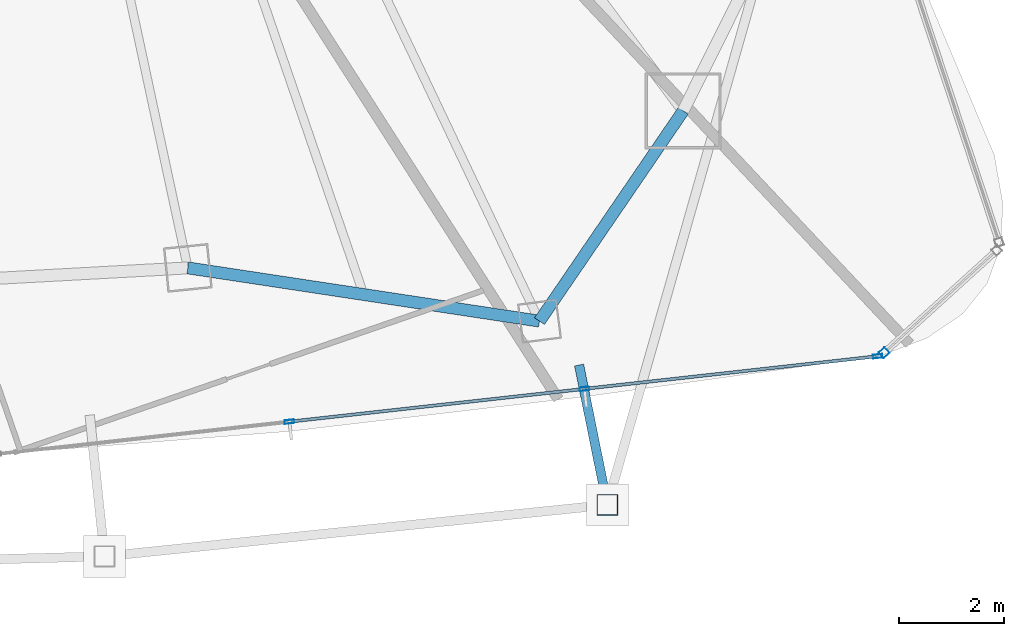
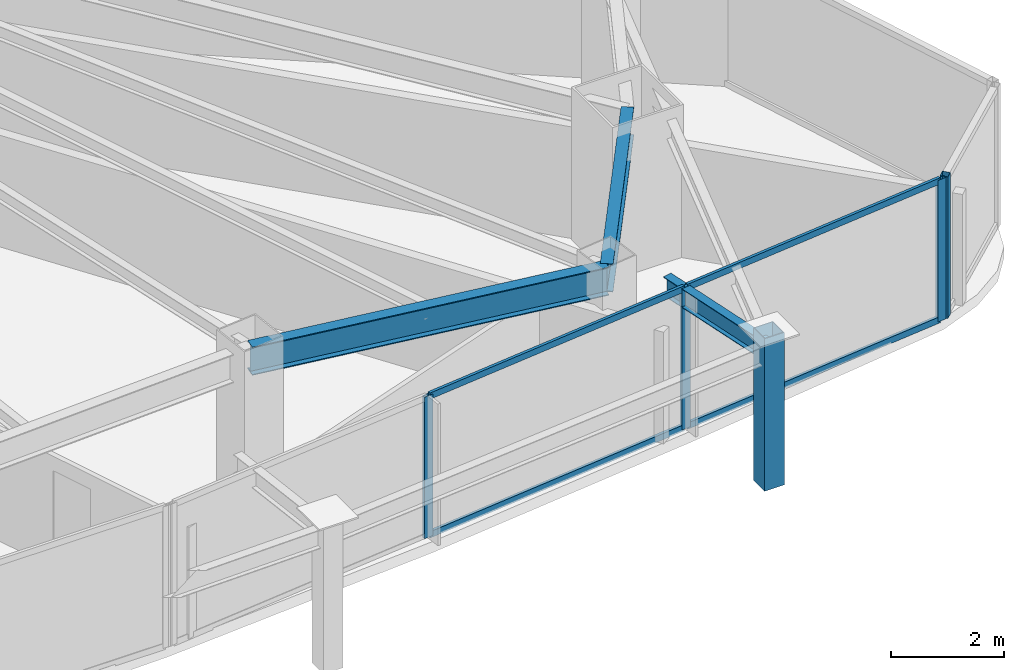
# One storey, part 12 of 29: 9 members, 3 beams, 2 elements without a shape of their own.
"""IFC4 building model written with IfcOpenShell, lengths in metres."""

from ifc_helpers import new_model, si_unit, direction, frame, origin, origin_2d, place, context, subcontext, project, spatial, hollow_rectangle, i_section, extrude, material, layer, layer_set, material_profile, profile_set, type_object, element, aggregate, save


model = new_model("IFC4")

# Units and contexts
model_context = context("Model", 3, precision=1e-05, world=origin(), true_north=direction((0.0, 1.0)))
body_context = subcontext(model_context, "Body", "Model", "MODEL_VIEW")
ifc_project = project(units=[si_unit("LENGTHUNIT", "METRE"), si_unit("AREAUNIT", "SQUARE_METRE"), si_unit("VOLUMEUNIT", "CUBIC_METRE"), si_unit("PLANEANGLEUNIT", "RADIAN"), si_unit("MASSUNIT", "GRAM", prefix="KILO")], contexts=[model_context])

# Site, building, storey
site_placement = place(None, origin())
site = spatial("IfcSite", under=ifc_project, at=site_placement, CompositionType="ELEMENT")
building_placement = place(site_placement, origin())
building = spatial("IfcBuilding", under=site, at=building_placement, Name="Orvanel Arch Residences", CompositionType="ELEMENT")
storey_placement = place(building_placement, frame((0.0, 0.0, 167.14990234375)))
storey = spatial("IfcBuildingStorey", under=building, at=storey_placement, Name="L47", CompositionType="ELEMENT", Elevation=167.14990234375)

# Curtain wall, member
ifc_material_1 = material(Name="Bronze-anodised aluminium AA6063-T6", Category="aluminium")
ifc_layer_1 = layer(ifc_material_1, 0.18994140625)
ifc_layer_set_1 = layer_set([ifc_layer_1], Name="Bronze-anodised aluminium AA6063-T6")
curtain_wall_type_1 = type_object("IfcCurtainWallType", Name="CW5-CRN-SYS", PredefinedType="NOTDEFINED", material=ifc_layer_set_1)
curtain_wall_1_placement = place(storey_placement, origin())
curtain_wall_1 = element("IfcCurtainWall", 1, at=curtain_wall_1_placement, inside=storey, type_object=curtain_wall_type_1, Name="L47 CW5-CRN-SYS Unitised Curtain Wall", PredefinedType="NOTDEFINED")
ifc_material_profile_1 = material_profile(ifc_material_1, hollow_rectangle(XDim=0.14990234375, YDim=0.14990234375, WallThickness=0.0048828125, at=origin_2d()), Name="ALU150x150x5")
ifc_profile_set_1 = profile_set([ifc_material_profile_1], Name="Bronze-anodised aluminium AA6063-T6")
member_type_1 = type_object("IfcMemberType", Name="MUL-150x150", PredefinedType="MULLION", material=ifc_profile_set_1)
member_1_placement = place(storey_placement, frame((55.635498046875, 5.739501953125, 0.0), z_axis=(0.0, 0.0, 1.0), x_axis=(-0.672395615727, 0.740191958853, 0.0)))
member_1 = element("IfcMember", 2, at=member_1_placement, type_object=member_type_1, Name="CW-S5 mullion 1", PredefinedType="MULLION", context=body_context, shape_type="SweptSolid", body=[
    extrude(hollow_rectangle(XDim=0.14990234375, YDim=0.14990234375, WallThickness=0.0048828125, at=origin_2d()), origin(), (0.0, 0.0, 1.0), 3.06005859375),
])
aggregate(curtain_wall_1, [member_1])

# Curtain wall, members
ifc_layer_2 = layer(ifc_material_1, 0.179931640625)
ifc_layer_set_2 = layer_set([ifc_layer_2], Name="Bronze-anodised aluminium AA6063-T6")
curtain_wall_type_2 = type_object("IfcCurtainWallType", Name="CW3-MID-SYS", PredefinedType="NOTDEFINED", material=ifc_layer_set_2)
curtain_wall_2_placement = place(storey_placement, origin())
curtain_wall_2 = element("IfcCurtainWall", 3, at=curtain_wall_2_placement, inside=storey, type_object=curtain_wall_type_2, Name="L47 CW3-MID-SYS Unitised Curtain Wall", PredefinedType="NOTDEFINED")
ifc_material_profile_2 = material_profile(ifc_material_1, hollow_rectangle(XDim=0.070068359375, YDim=0.179931640625, WallThickness=0.00439453125, at=origin_2d()), Name="ALU180x70x4.5")
ifc_profile_set_2 = profile_set([ifc_material_profile_2], Name="Bronze-anodised aluminium AA6063-T6")
member_type_2 = type_object("IfcMemberType", Name="MUL-180x70", PredefinedType="MULLION", material=ifc_profile_set_2)
member_2_placement = place(storey_placement, frame((44.2890625, 4.42138671875, 0.0), z_axis=(0.0, 0.0, 1.0), x_axis=(-0.11060596361, 0.993864337228, 0.0)))
member_2 = element("IfcMember", 4, at=member_2_placement, type_object=member_type_2, Name="CW-S3 mullion 2", PredefinedType="MULLION", context=body_context, shape_type="SweptSolid", body=[
    extrude(hollow_rectangle(XDim=0.070068359375, YDim=0.179931640625, WallThickness=0.00439453125, at=origin_2d()), origin(), (0.0, 0.0, 1.0), 3.06005859375),
])
member_3_placement = place(storey_placement, frame((49.9169921875, 5.047607421875, 0.0), z_axis=(0.0, 0.0, 1.0), x_axis=(-0.11060596361, 0.993864337228, 0.0)))
member_3 = element("IfcMember", 5, at=member_3_placement, type_object=member_type_2, Name="CW-S3 mullion 3", PredefinedType="MULLION", context=body_context, shape_type="SweptSolid", body=[
    extrude(hollow_rectangle(XDim=0.070068359375, YDim=0.179931640625, WallThickness=0.00439453125, at=origin_2d()), origin(), (0.0, 0.0, 1.0), 3.06005859375),
])
member_4_placement = place(storey_placement, frame((55.51025390625, 5.670166015625, 0.0), z_axis=(0.0, 0.0, 1.0), x_axis=(-0.11060596361, 0.993864337228, 0.0)))
member_4 = element("IfcMember", 6, at=member_4_placement, type_object=member_type_2, Name="CW-S3 mullion 4", PredefinedType="MULLION", context=body_context, shape_type="SweptSolid", body=[
    extrude(hollow_rectangle(XDim=0.070068359375, YDim=0.179931640625, WallThickness=0.00439453125, at=origin_2d()), origin(), (0.0, 0.0, 1.0), 3.06005859375),
])

# Beams
ifc_material_2 = material(Name="Structural steel AS/NZS 3679.1 Grade 300 (300 MPa)", Category="steel")
ifc_material_profile_3 = material_profile(ifc_material_2, i_section(OverallWidth=0.177978515625, OverallDepth=0.406005859375, WebThickness=0.0078125, FlangeThickness=0.0126953125, at=origin_2d()), Name="410UB59.7")
ifc_profile_set_3 = profile_set([ifc_material_profile_3], Name="Structural steel AS/NZS 3679.1 Grade 300 (300 MPa)")
beam_type_1 = type_object("IfcBeamType", Name="OB-410UB-EXT", PredefinedType="SPANDREL", material=ifc_profile_set_3)
beam_1_placement = place(storey_placement, frame((49.81396484375, 5.5029296875, 2.857177734375), z_axis=(0.198047657535, -0.980192392005, 0.0), x_axis=(0.980192392005, 0.198047657535, 0.0)))
element("IfcBeam", 7, at=beam_1_placement, inside=storey, type_object=beam_type_1, Name="L47 Outer Frame Radial Tie Beam 08", PredefinedType="SPANDREL", context=body_context, shape_type="SweptSolid", body=[
    extrude(i_section(OverallWidth=0.177978515625, OverallDepth=0.406005859375, WebThickness=0.0078125, FlangeThickness=0.0126953125, at=origin_2d()), origin(), (0.0, 0.0, 1.0), 2.721923828125),
])
ifc_material_profile_4 = material_profile(ifc_material_2, i_section(OverallWidth=0.22900390625, OverallDepth=0.612060546875, WebThickness=0.011962890625, FlangeThickness=0.01953125, at=origin_2d()), Name="610UB125")
ifc_profile_set_4 = profile_set([ifc_material_profile_4], Name="Structural steel AS/NZS 3679.1 Grade 300 (300 MPa)")
beam_type_2 = type_object("IfcBeamType", Name="SP-610UB", PredefinedType="SPANDREL", material=ifc_profile_set_4)
beam_2_placement = place(storey_placement, frame((42.35107421875, 7.35498046875, 2.754150390625), z_axis=(0.988726323014, -0.149733958002, 0.0), x_axis=(0.149733958002, 0.988726323014, 0.0)))
element("IfcBeam", 8, at=beam_2_placement, inside=storey, type_object=beam_type_2, Name="L47 Perimeter Spandrel Beam 07", PredefinedType="SPANDREL", context=body_context, shape_type="SweptSolid", body=[
    extrude(i_section(OverallWidth=0.22900390625, OverallDepth=0.612060546875, WebThickness=0.011962890625, FlangeThickness=0.01953125, at=origin_2d()), origin(), (0.0, 0.0, 1.0), 6.784423828125),
])
beam_3_placement = place(storey_placement, frame((49.05908203125, 6.339111328125, 2.754150390625), z_axis=(0.564251579852, 0.825602903722, 0.0), x_axis=(-0.825602903722, 0.564251579852, 0.0)))
element("IfcBeam", 9, at=beam_3_placement, inside=storey, type_object=beam_type_2, Name="L47 Perimeter Spandrel Beam 08", PredefinedType="SPANDREL", context=body_context, shape_type="SweptSolid", body=[
    extrude(i_section(OverallWidth=0.22900390625, OverallDepth=0.612060546875, WebThickness=0.011962890625, FlangeThickness=0.01953125, at=origin_2d()), origin(), (0.0, 0.0, 1.0), 4.859375),
])

# Member
ifc_material_3 = material(Name="Structural steel AS/NZS 1163 C450L0 (Grade 450)", Category="steel")
ifc_material_profile_5 = material_profile(ifc_material_3, hollow_rectangle(XDim=0.39990234375, YDim=0.39990234375, WallThickness=0.01611328125, at=origin_2d()), Name="SHS400x400x16")
ifc_profile_set_5 = profile_set([ifc_material_profile_5], Name="Structural steel AS/NZS 1163 C450L0 (Grade 450)")
member_type_3 = type_object("IfcMemberType", Name="ST-400SHS-EXT", PredefinedType="STRUT", material=ifc_profile_set_5)
member_5_placement = place(storey_placement, frame((50.35302734375, 2.8349609375, 0.0), z_axis=(0.0, 0.0, 1.0), x_axis=(1.0, 0.0, 0.0)))
element("IfcMember", 10, at=member_5_placement, inside=storey, type_object=member_type_3, Name="L47 Outer Perimeter Frame Post 08", PredefinedType="STRUT", context=body_context, shape_type="SweptSolid", body=[
    extrude(hollow_rectangle(XDim=0.39990234375, YDim=0.39990234375, WallThickness=0.01611328125, at=origin_2d()), origin(), (0.0, 0.0, 1.0), 3.300048828125),
])

ifc_material_profile_6 = material_profile(ifc_material_1, hollow_rectangle(XDim=0.06005859375, YDim=0.135009765625, WallThickness=0.00390625, at=origin_2d()), Name="ALU135x60x4")
ifc_profile_set_6 = profile_set([ifc_material_profile_6], Name="Bronze-anodised aluminium AA6063-T6")
member_type_4 = type_object("IfcMemberType", Name="TRN-135x60", PredefinedType="USERDEFINED", material=ifc_profile_set_6)
member_6_placement = place(storey_placement, frame((44.32373046875, 4.42529296875, 0.030029296875), z_axis=(0.993868287066, 0.110570466055, 0.0), x_axis=(-0.110570466055, 0.993868287066, 0.0)))
member_6 = element("IfcMember", 11, at=member_6_placement, type_object=member_type_4, Name="CW-S3 transom 2.1", ObjectType="TRANSOM", PredefinedType="USERDEFINED", context=body_context, shape_type="SweptSolid", body=[
    extrude(hollow_rectangle(XDim=0.06005859375, YDim=0.135009765625, WallThickness=0.00390625, at=origin_2d()), origin(), (0.0, 0.0, 1.0), 5.5927734375),
])

member_7_placement = place(storey_placement, frame((44.32373046875, 4.42529296875, 3.030029296875), z_axis=(0.993868287066, 0.110570466055, 0.0), x_axis=(-0.110570466055, 0.993868287066, 0.0)))
member_7 = element("IfcMember", 12, at=member_7_placement, type_object=member_type_4, Name="CW-S3 transom 2.2", ObjectType="TRANSOM", PredefinedType="USERDEFINED", context=body_context, shape_type="SweptSolid", body=[
    extrude(hollow_rectangle(XDim=0.06005859375, YDim=0.135009765625, WallThickness=0.00390625, at=origin_2d()), origin(), (0.0, 0.0, 1.0), 5.5927734375),
])

member_8_placement = place(storey_placement, frame((49.951904296875, 5.051513671875, 0.030029296875), z_axis=(0.993863360164, 0.110614742791, 0.0), x_axis=(-0.110614742791, 0.993863360164, 0.0)))
member_8 = element("IfcMember", 13, at=member_8_placement, type_object=member_type_4, Name="CW-S3 transom 3.1", ObjectType="TRANSOM", PredefinedType="USERDEFINED", context=body_context, shape_type="SweptSolid", body=[
    extrude(hollow_rectangle(XDim=0.06005859375, YDim=0.135009765625, WallThickness=0.00390625, at=origin_2d()), origin(), (0.0, 0.0, 1.0), 5.5576171875),
])

member_9_placement = place(storey_placement, frame((49.951904296875, 5.051513671875, 3.030029296875), z_axis=(0.993863360164, 0.110614742791, 0.0), x_axis=(-0.110614742791, 0.993863360164, 0.0)))
member_9 = element("IfcMember", 14, at=member_9_placement, type_object=member_type_4, Name="CW-S3 transom 3.2", ObjectType="TRANSOM", PredefinedType="USERDEFINED", context=body_context, shape_type="SweptSolid", body=[
    extrude(hollow_rectangle(XDim=0.06005859375, YDim=0.135009765625, WallThickness=0.00390625, at=origin_2d()), origin(), (0.0, 0.0, 1.0), 5.5576171875),
])

aggregate(curtain_wall_2, [member_2, member_3, member_4, member_6, member_7, member_8, member_9])

save(model, "model.ifc")
